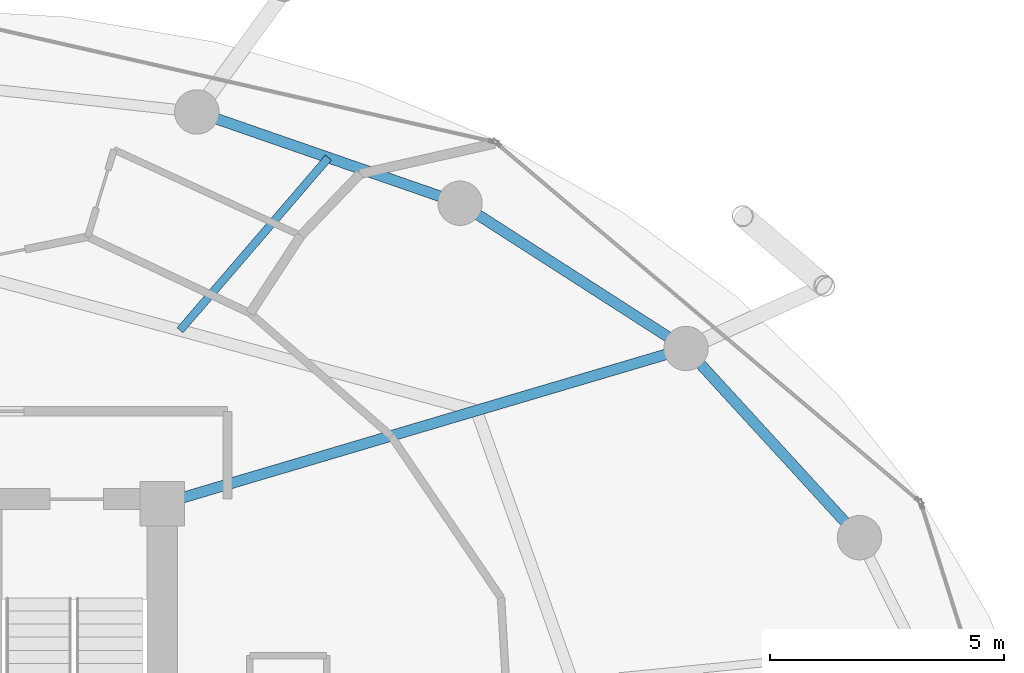
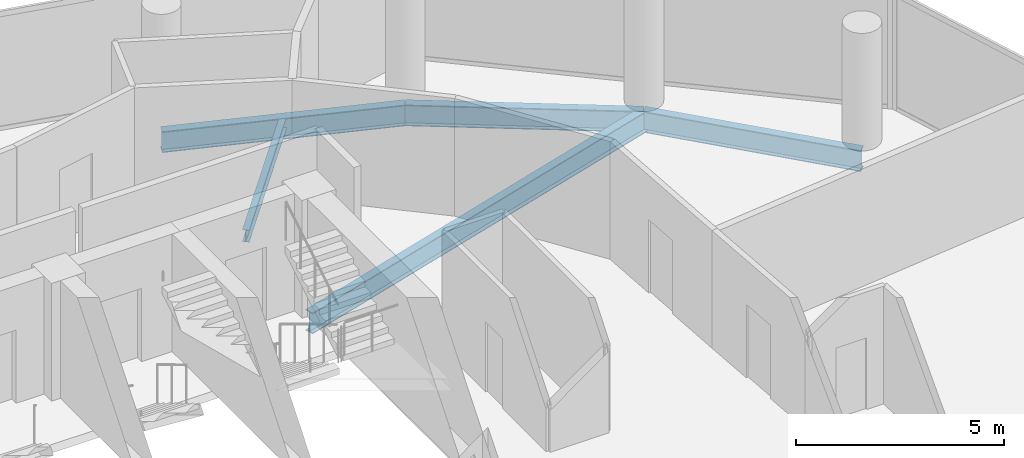
# One storey, part 18 of 26: 5 beams.
"""IFC4 building model written with IfcOpenShell, lengths in metres."""

from ifc_helpers import new_model, si_unit, direction, frame, origin, origin_2d, place, context, subcontext, project, spatial, i_section, extrude, material, material_profile, profile_set, type_object, element, save


model = new_model("IFC4")

# Units and contexts
model_context = context("Model", 3, precision=1e-05, world=origin(), true_north=direction((0.0, 1.0)))
body_context = subcontext(model_context, "Body", "Model", "MODEL_VIEW")
ifc_project = project(units=[si_unit("LENGTHUNIT", "METRE"), si_unit("AREAUNIT", "SQUARE_METRE"), si_unit("VOLUMEUNIT", "CUBIC_METRE"), si_unit("PLANEANGLEUNIT", "RADIAN"), si_unit("MASSUNIT", "GRAM", prefix="KILO")], contexts=[model_context])

# Site, building, storey
site_placement = place(None, origin())
site = spatial("IfcSite", under=ifc_project, at=site_placement, CompositionType="ELEMENT")
building_placement = place(site_placement, origin())
building = spatial("IfcBuilding", under=site, at=building_placement, Name="Nuhasar Tower", CompositionType="ELEMENT")
storey_placement = place(building_placement, frame((0.0, 0.0, 125.64990234375)))
storey = spatial("IfcBuildingStorey", under=building, at=storey_placement, Name="L29", CompositionType="ELEMENT", Elevation=125.64990234375)

# Beams
ifc_material = material(Name="Steel S355", Category="steel")
ifc_material_profile_1 = material_profile(ifc_material, i_section(OverallWidth=0.1708984375, OverallDepth=0.35205078125, WebThickness=0.0068359375, FlangeThickness=0.009765625, at=origin_2d()), Name="W14X30")
ifc_profile_set_1 = profile_set([ifc_material_profile_1], Name="Steel S355")
beam_type_1 = type_object("IfcBeamType", Name="BM-JST-W14X30", PredefinedType="JOIST", material=ifc_profile_set_1)
beam_1_placement = place(storey_placement, frame((44.68408203125, 41.011962890625, -0.42578125), z_axis=(0.651690621509, 0.758484893612, 0.0), x_axis=(-0.758484893612, 0.651690621509, 0.0)))
element("IfcBeam", 1, at=beam_1_placement, inside=storey, type_object=beam_type_1, Name="L29 Secondary Floor Joist 05", PredefinedType="JOIST", context=body_context, shape_type="SweptSolid", body=[
    extrude(i_section(OverallWidth=0.1708984375, OverallDepth=0.35205078125, WebThickness=0.0068359375, FlangeThickness=0.009765625, at=origin_2d()), origin(), (0.0, 0.0, 1.0), 4.87158203125),
])
ifc_material_profile_2 = material_profile(ifc_material, i_section(OverallWidth=0.22900390625, OverallDepth=0.612060546875, WebThickness=0.011962890625, FlangeThickness=0.01953125, at=origin_2d()), Name="W24X84")
ifc_profile_set_2 = profile_set([ifc_material_profile_2], Name="Steel S355")
beam_type_2 = type_object("IfcBeamType", Name="BM-RAD-W24X84", PredefinedType="BEAM", material=ifc_profile_set_2)
beam_2_placement = place(storey_placement, frame((44.300048828125, 37.300048828125, -0.555908203125), z_axis=(0.958746492721, 0.284262489076, 0.0), x_axis=(-0.284262489076, 0.958746492721, 0.0)))
element("IfcBeam", 2, at=beam_2_placement, inside=storey, type_object=beam_type_2, Name="L29 Radial Floor Girder 05", PredefinedType="BEAM", context=body_context, shape_type="SweptSolid", body=[
    extrude(i_section(OverallWidth=0.22900390625, OverallDepth=0.612060546875, WebThickness=0.011962890625, FlangeThickness=0.01953125, at=origin_2d()), origin(), (0.0, 0.0, 1.0), 11.693359375),
])
ifc_material_profile_3 = material_profile(ifc_material, i_section(OverallWidth=0.22998046875, OverallDepth=0.616943359375, WebThickness=0.01318359375, FlangeThickness=0.022216796875, at=origin_2d()), Name="W24X94")
ifc_profile_set_3 = profile_set([ifc_material_profile_3], Name="Steel S355")
beam_type_3 = type_object("IfcBeamType", Name="BM-RING-W24X94", PredefinedType="SPANDREL", material=ifc_profile_set_3)
beam_3_placement = place(storey_placement, frame((59.221923828125, 36.574951171875, -0.557861328125), z_axis=(-0.675654174897, 0.737218716491, 0.0), x_axis=(-0.737218716491, -0.675654174897, 0.0)))
element("IfcBeam", 3, at=beam_3_placement, inside=storey, type_object=beam_type_3, Name="L29 Perimeter Ring Spandrel 03", PredefinedType="SPANDREL", context=body_context, shape_type="SweptSolid", body=[
    extrude(i_section(OverallWidth=0.22998046875, OverallDepth=0.616943359375, WebThickness=0.01318359375, FlangeThickness=0.022216796875, at=origin_2d()), origin(), (0.0, 0.0, 1.0), 5.492431640625),
])
beam_4_placement = place(storey_placement, frame((55.510986328125, 40.6240234375, -0.557861328125), z_axis=(-0.841327486207, 0.540525726448, 0.0), x_axis=(-0.540525726448, -0.841327486207, 0.0)))
element("IfcBeam", 4, at=beam_4_placement, inside=storey, type_object=beam_type_3, Name="L29 Perimeter Ring Spandrel 04", PredefinedType="SPANDREL", context=body_context, shape_type="SweptSolid", body=[
    extrude(i_section(OverallWidth=0.22998046875, OverallDepth=0.616943359375, WebThickness=0.01318359375, FlangeThickness=0.022216796875, at=origin_2d()), origin(), (0.0, 0.0, 1.0), 5.748046875),
])
beam_5_placement = place(storey_placement, frame((50.675048828125, 43.73095703125, -0.557861328125), z_axis=(-0.944801380051, 0.327643636066, 0.0), x_axis=(-0.327643636066, -0.944801380051, 0.0)))
element("IfcBeam", 5, at=beam_5_placement, inside=storey, type_object=beam_type_3, Name="L29 Perimeter Ring Spandrel 05", PredefinedType="SPANDREL", context=body_context, shape_type="SweptSolid", body=[
    extrude(i_section(OverallWidth=0.22998046875, OverallDepth=0.616943359375, WebThickness=0.01318359375, FlangeThickness=0.022216796875, at=origin_2d()), origin(), (0.0, 0.0, 1.0), 5.961181640625),
])

save(model, "model.ifc")
